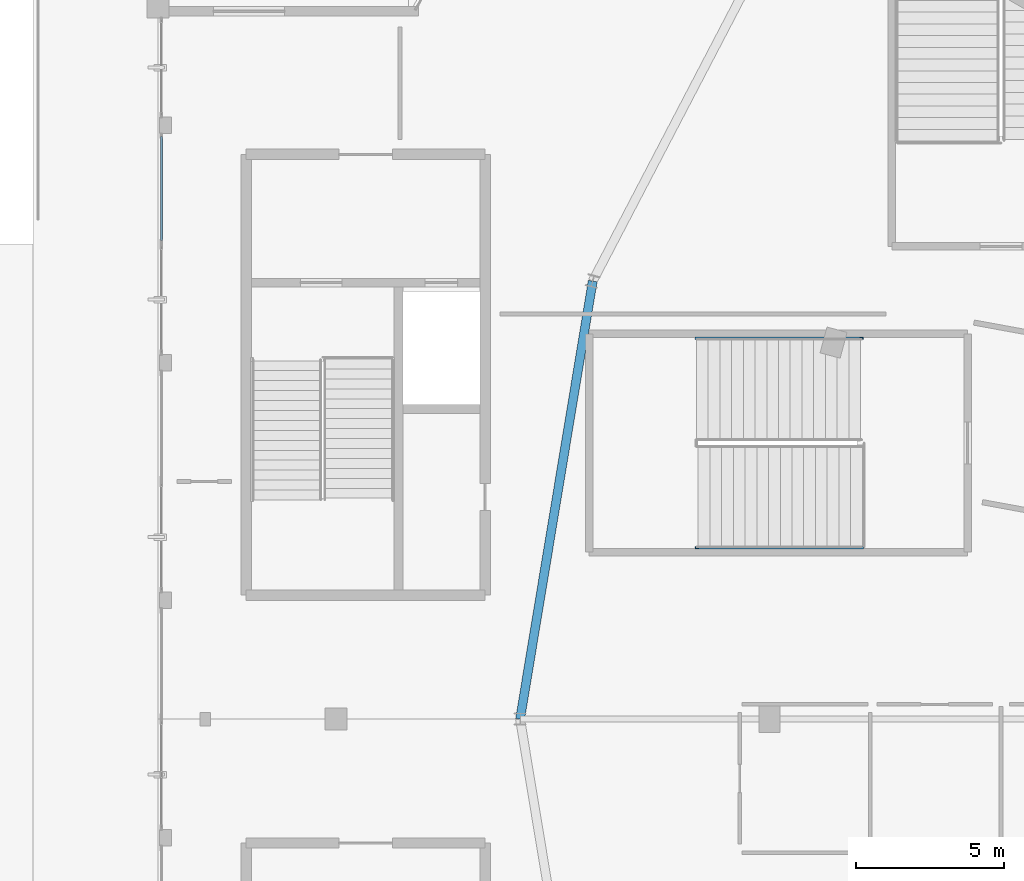
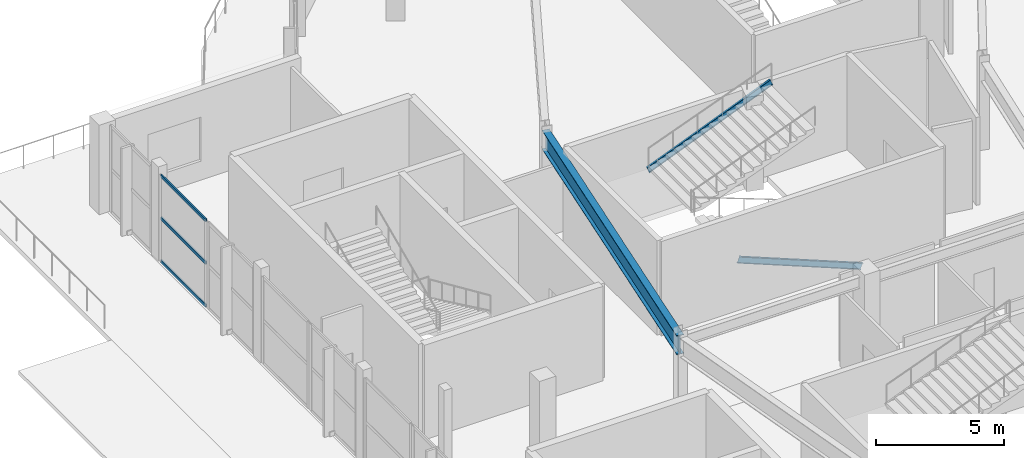
# One storey, part 39 of 123: 5 members, 1 beam, 1 element without a shape of its own.
"""IFC4 building model written with IfcOpenShell, lengths in metres."""

from ifc_helpers import new_model, si_unit, direction, frame, origin, origin_2d, place, context, subcontext, project, spatial, hollow_rectangle, i_section, extrude, material, layer, layer_set, material_profile, profile_set, type_object, element, aggregate, save


model = new_model("IFC4")

# Units and contexts
model_context = context("Model", 3, precision=1e-05, world=origin(), true_north=direction((0.0, 1.0)))
body_context = subcontext(model_context, "Body", "Model", "MODEL_VIEW")
ifc_project = project(units=[si_unit("LENGTHUNIT", "METRE"), si_unit("AREAUNIT", "SQUARE_METRE"), si_unit("VOLUMEUNIT", "CUBIC_METRE"), si_unit("PLANEANGLEUNIT", "RADIAN"), si_unit("MASSUNIT", "GRAM", prefix="KILO")], contexts=[model_context])

# Site, building, storey
site_placement = place(None, origin())
site = spatial("IfcSite", under=ifc_project, at=site_placement, CompositionType="ELEMENT")
building_placement = place(site_placement, origin())
building = spatial("IfcBuilding", under=site, at=building_placement, Name="Kalgoora Escarpment Arena", CompositionType="ELEMENT")
storey_placement = place(building_placement, frame((0.0, 0.0, 9.89990234375)))
storey = spatial("IfcBuildingStorey", under=building, at=storey_placement, Name="L02", CompositionType="ELEMENT", Elevation=9.89990234375)

# Beam
ifc_material_1 = material(Name="Structural steel Grade 350 (350 MPa)", Category="steel")
ifc_material_profile_1 = material_profile(ifc_material_1, i_section(OverallWidth=0.300048828125, OverallDepth=0.909912109375, WebThickness=0.011962890625, FlangeThickness=0.028076171875, at=origin_2d()))
ifc_profile_set_1 = profile_set([ifc_material_profile_1], Name="Structural steel Grade 350 (350 MPa)")
beam_type = type_object("IfcBeamType", Name="BM-SPANDREL-900WB218", PredefinedType="SPANDREL", material=ifc_profile_set_1)
beam_placement = place(storey_placement, frame((23.04638671875, 78.752685546875, 3.735107421875), z_axis=(-0.163586163215, -0.98652905036, 0.0), x_axis=(0.98652905036, -0.163586163215, 0.0)))
element("IfcBeam", 1, at=beam_placement, inside=storey, type_object=beam_type, Name="L02 Circumferential concourse girder RCONC2 900WB218", PredefinedType="SPANDREL", context=body_context, shape_type="SweptSolid", body=[
    extrude(i_section(OverallWidth=0.300048828125, OverallDepth=0.909912109375, WebThickness=0.011962890625, FlangeThickness=0.028076171875, at=origin_2d()), origin(), (0.0, 0.0, 1.0), 14.9541015625),
])

# Curtain wall, members
ifc_material_2 = material(Name=" Champagne anodised aluminium & double-glazed low-E", Category="aluminium")
ifc_layer = layer(ifc_material_2, 0.162109375)
ifc_layer_set = layer_set([ifc_layer], Name="CW-UNIT-08")
curtain_wall_type = type_object("IfcCurtainWallType", Name="CW-UNIT-08", PredefinedType="NOTDEFINED", material=ifc_layer_set)
curtain_wall_placement = place(storey_placement, origin())
curtain_wall = element("IfcCurtainWall", 2, at=curtain_wall_placement, inside=storey, type_object=curtain_wall_type, Name="L02 unitised facade curtain wall 067", PredefinedType="NOTDEFINED")
ifc_material_3 = material(Name="Anodised aluminium 6063-T6", Category="aluminium")
ifc_material_profile_2 = material_profile(ifc_material_3, hollow_rectangle(XDim=0.06005859375, YDim=0.14990234375, WallThickness=0.00341796875, at=origin_2d()))
ifc_profile_set_2 = profile_set([ifc_material_profile_2], Name="Anodised aluminium 6063-T6")
member_type_1 = type_object("IfcMemberType", Name="MEM-CW-TRAN-150", PredefinedType="USERDEFINED", material=ifc_profile_set_2)
member_1_placement = place(storey_placement, frame((8.52001953125, 80.114990234375, 0.050048828125), z_axis=(0.0, 1.0, 0.0), x_axis=(-1.0, 0.0, 0.0)))
member_1 = element("IfcMember", 3, at=member_1_placement, type_object=member_type_1, Name="CW-08 transom 1.1", ObjectType="TRANSOM", PredefinedType="USERDEFINED", context=body_context, shape_type="SweptSolid", body=[
    extrude(hollow_rectangle(XDim=0.06005859375, YDim=0.14990234375, WallThickness=0.00341796875, at=origin_2d()), origin(), (0.0, 0.0, 1.0), 3.505859375),
])
member_2_placement = place(storey_placement, frame((8.52001953125, 80.114990234375, 2.09521484375), z_axis=(0.0, 1.0, 0.0), x_axis=(-1.0, 0.0, 0.0)))
member_2 = element("IfcMember", 4, at=member_2_placement, type_object=member_type_1, Name="CW-08 transom 1.2", ObjectType="TRANSOM", PredefinedType="USERDEFINED", context=body_context, shape_type="SweptSolid", body=[
    extrude(hollow_rectangle(XDim=0.06005859375, YDim=0.14990234375, WallThickness=0.00341796875, at=origin_2d()), origin(), (0.0, 0.0, 1.0), 3.505859375),
])
member_3_placement = place(storey_placement, frame((8.52001953125, 80.114990234375, 4.1201171875), z_axis=(0.0, 1.0, 0.0), x_axis=(-1.0, 0.0, 0.0)))
member_3 = element("IfcMember", 5, at=member_3_placement, type_object=member_type_1, Name="CW-08 transom 1.3", ObjectType="TRANSOM", PredefinedType="USERDEFINED", context=body_context, shape_type="SweptSolid", body=[
    extrude(hollow_rectangle(XDim=0.06005859375, YDim=0.14990234375, WallThickness=0.00341796875, at=origin_2d()), origin(), (0.0, 0.0, 1.0), 3.505859375),
])
aggregate(curtain_wall, [member_1, member_2, member_3])

# Members
ifc_material_4 = material(Name="Structural steel AS/NZS 3679 (300 MPa)", Category="steel")
ifc_material_profile_3 = material_profile(ifc_material_4, i_section(OverallWidth=0.090087890625, OverallDepth=0.300048828125, WebThickness=0.008056640625, FlangeThickness=0.01611328125, at=origin_2d()))
ifc_profile_set_3 = profile_set([ifc_material_profile_3], Name="Structural steel AS/NZS 3679 (300 MPa)")
member_type_2 = type_object("IfcMemberType", Name="MEM-STRINGER-PFC", PredefinedType="STRINGER", material=ifc_profile_set_3)
for number, where, z_axis, x_axis, name in (
    (6, (32.110107421875, 69.77001953125, -0.039794921875), (-0.926975796404, 0.0, 0.375121144273), (0.0, -1.0, 0.0), "ST17 L02 steel stair stringer 1"),
    (7, (26.550048828125, 76.830078125, 2.210205078125), (0.926975796404, 0.0, 0.375121144273), (0.0, 1.0, 0.0), "ST17 L02 steel stair stringer 2"),
):
    element("IfcMember", number, at=place(storey_placement, frame(where, z_axis=z_axis, x_axis=x_axis)), inside=storey, type_object=member_type_2, Name=name, PredefinedType="STRINGER", context=body_context, shape_type="SweptSolid", body=[
        extrude(i_section(OverallWidth=0.090087890625, OverallDepth=0.300048828125, WebThickness=0.008056640625, FlangeThickness=0.01611328125, at=origin_2d()), origin(), (0.0, 0.0, 1.0), 5.998046875),
    ])

save(model, "model.ifc")
